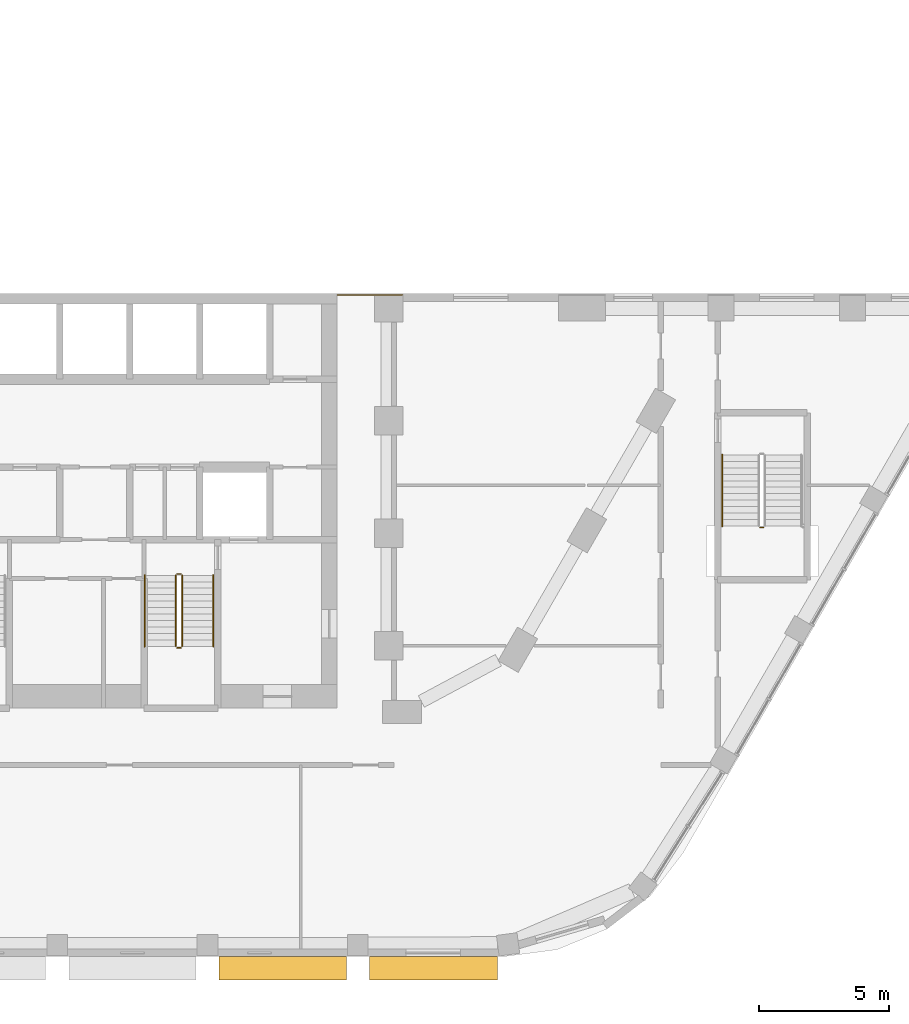
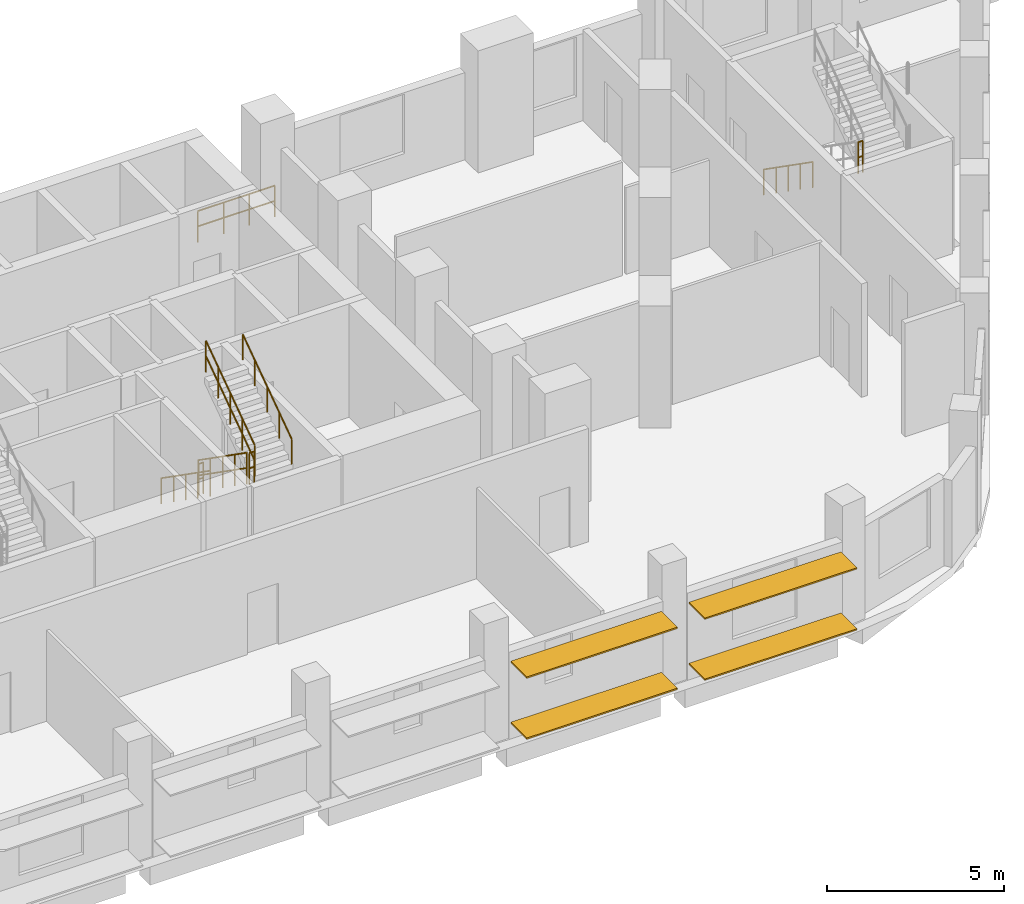
# One storey, part 28 of 33: 9 railings, 4 shading devices.
"""IFC4 building model written with IfcOpenShell, lengths in metres."""

from ifc_helpers import new_model, si_unit, direction, frame, origin, origin_2d, place, context, subcontext, project, spatial, rectangle, circle, extrude, material, material_profile, profile_set, type_object, element, save


model = new_model("IFC4")

# Units and contexts
model_context = context("Model", 3, precision=1e-05, world=origin(), true_north=direction((0.0, 1.0)))
body_context = subcontext(model_context, "Body", "Model", "MODEL_VIEW")
ifc_project = project(units=[si_unit("LENGTHUNIT", "METRE"), si_unit("AREAUNIT", "SQUARE_METRE"), si_unit("VOLUMEUNIT", "CUBIC_METRE"), si_unit("PLANEANGLEUNIT", "RADIAN"), si_unit("MASSUNIT", "GRAM", prefix="KILO")], contexts=[model_context])

# Site, building, storey
site_placement = place(None, origin())
site = spatial("IfcSite", under=ifc_project, at=site_placement, CompositionType="ELEMENT")
building_placement = place(site_placement, origin())
building = spatial("IfcBuilding", under=site, at=building_placement, Name="Nakaniwa Court", CompositionType="ELEMENT")
storey_placement = place(building_placement, frame((0.0, 0.0, 19.800048828125)))
storey = spatial("IfcBuildingStorey", under=building, at=storey_placement, Name="L04", CompositionType="ELEMENT", Elevation=19.800048828125)

# Shading devices
ifc_material_1 = material(Name="Perforated charcoal ceramic louvre blade")
ifc_material_profile = material_profile(ifc_material_1, rectangle(XDim=0.89990234375, YDim=0.050048828125, at=origin_2d()), Name="Perforated ceramic louvre blade")
ifc_profile_set = profile_set([ifc_material_profile], Name="Perforated charcoal ceramic louvre blade")
shading_device_type = type_object("IfcShadingDeviceType", Name="Perforated ceramic louvre blade", PredefinedType="JALOUSIE", material=ifc_profile_set)
for number, where, z_axis, x_axis, name in (
    (1, (83.448486328125, 46.550048828125, 0.550048828125), (1.0, 0.0, 0.0), (0.0, 1.0, 0.0), "L04 perforated ceramic louvre blade w22 1"),
    (2, (83.448486328125, 46.550048828125, 2.64990234375), (1.0, 0.0, 0.0), (0.0, 1.0, 0.0), "L04 perforated ceramic louvre blade w22 2"),
):
    element("IfcShadingDevice", number, at=place(storey_placement, frame(where, z_axis=z_axis, x_axis=x_axis)), inside=storey, type_object=shading_device_type, Name=name, PredefinedType="JALOUSIE", context=body_context, shape_type="SweptSolid", body=[
        extrude(rectangle(XDim=0.89990234375, YDim=0.050048828125, at=origin_2d()), origin(), (0.0, 0.0, 1.0), 4.910400390625),
    ])
for number, where, z_axis, x_axis, name in (
    (3, (89.250732421875, 46.550048828125, 0.550048828125), (1.0, 0.0, 0.0), (0.0, 1.0, 0.0), "L04 perforated ceramic louvre blade w23 1"),
    (4, (89.250732421875, 46.550048828125, 2.64990234375), (1.0, 0.0, 0.0), (0.0, 1.0, 0.0), "L04 perforated ceramic louvre blade w23 2"),
):
    element("IfcShadingDevice", number, at=place(storey_placement, frame(where, z_axis=z_axis, x_axis=x_axis)), inside=storey, type_object=shading_device_type, Name=name, PredefinedType="JALOUSIE", context=body_context, shape_type="SweptSolid", body=[
        extrude(rectangle(XDim=0.89990234375, YDim=0.050048828125, at=origin_2d()), origin(), (0.0, 0.0, 1.0), 4.947998046875),
    ])

# Railings
ifc_material_2 = material(Name="Black powder coated steel guard", Category="steel")
railing_type_1 = type_object("IfcRailingType", Name="Stair guard 1100", PredefinedType="GUARDRAIL", material=ifc_material_2)
railing_1_placement = place(storey_placement, frame((81.77490234375, 61.72509765625, 0.175048828125)))
element("IfcRailing", 5, at=railing_1_placement, inside=storey, type_object=railing_type_1, Name="L04 ST4 stair guard 1", PredefinedType="GUARDRAIL", context=body_context, shape_type="SweptSolid", body=[
    extrude(circle(Radius=0.02392578125, at=origin_2d()), frame((0.0, 0.0, 1.076171875), z_axis=(0.0, -0.819259255306, 0.573423292687), x_axis=(1.0, 0.0, 0.0)), (0.0, 0.0, 1.0), 3.356689453125),
    extrude(circle(Radius=0.02392578125, at=origin_2d()), frame((0.0, 0.0, 0.550048828125), z_axis=(0.0, -0.819259255306, 0.573423292687), x_axis=(1.0, 0.0, 0.0)), (0.0, 0.0, 1.0), 3.356689453125),
    extrude(circle(Radius=0.02099609375, at=origin_2d()), origin(), (0.0, 0.0, 1.0), 1.052001953125),
    extrude(circle(Radius=0.02099609375, at=origin_2d()), frame((0.0, -0.6875, 0.481201171875)), (0.0, 0.0, 1.0), 1.052001953125),
    extrude(circle(Radius=0.02099609375, at=origin_2d()), frame((0.0, -1.375, 0.96240234375)), (0.0, 0.0, 1.0), 1.052001953125),
    extrude(circle(Radius=0.02099609375, at=origin_2d()), frame((0.0, -2.0625, 1.443603515625)), (0.0, 0.0, 1.0), 1.052001953125),
    extrude(circle(Radius=0.02099609375, at=origin_2d()), frame((0.0, -2.75, 1.9248046875)), (0.0, 0.0, 1.0), 1.052001953125),
])
railing_2_placement = place(storey_placement, frame((81.824951171875, 58.925048828125, 2.099853515625)))
element("IfcRailing", 6, at=railing_2_placement, inside=storey, type_object=railing_type_1, Name="L04 ST4 stair guard 2", PredefinedType="GUARDRAIL", context=body_context, shape_type="SweptSolid", body=[
    extrude(circle(Radius=0.02392578125, at=origin_2d()), frame((0.0, 0.0, 1.076171875), z_axis=(1.0, 0.0, 0.0), x_axis=(0.0, 1.0, 0.0)), (0.0, 0.0, 1.0), 0.150146484375),
    extrude(circle(Radius=0.02392578125, at=origin_2d()), frame((0.0, 0.0, 0.550048828125), z_axis=(1.0, 0.0, 0.0), x_axis=(0.0, 1.0, 0.0)), (0.0, 0.0, 1.0), 0.150146484375),
    extrude(circle(Radius=0.02099609375, at=origin_2d()), origin(), (0.0, 0.0, 1.0), 1.052001953125),
    extrude(circle(Radius=0.02099609375, at=origin_2d()), frame((0.150146484375, 0.0, 0.0)), (0.0, 0.0, 1.0), 1.052001953125),
])
railing_3_placement = place(storey_placement, frame((82.02490234375, 58.97509765625, 2.27490234375)))
element("IfcRailing", 7, at=railing_3_placement, inside=storey, type_object=railing_type_1, Name="L04 ST4 stair guard 3", PredefinedType="GUARDRAIL", context=body_context, shape_type="SweptSolid", body=[
    extrude(circle(Radius=0.02392578125, at=origin_2d()), frame((0.0, 0.0, 1.076171875), z_axis=(0.0, 0.819225086817, 0.573472106672), x_axis=(-1.0, 0.0, 0.0)), (0.0, 0.0, 1.0), 3.35693359375),
    extrude(circle(Radius=0.02392578125, at=origin_2d()), frame((0.0, 0.0, 0.550048828125), z_axis=(0.0, 0.819225086817, 0.573472106672), x_axis=(-1.0, 0.0, 0.0)), (0.0, 0.0, 1.0), 3.35693359375),
    extrude(circle(Radius=0.02099609375, at=origin_2d()), origin(), (0.0, 0.0, 1.0), 1.052001953125),
    extrude(circle(Radius=0.02099609375, at=origin_2d()), frame((0.0, 0.6875, 0.481201171875)), (0.0, 0.0, 1.0), 1.052001953125),
    extrude(circle(Radius=0.02099609375, at=origin_2d()), frame((0.0, 1.375, 0.96240234375)), (0.0, 0.0, 1.0), 1.052001953125),
    extrude(circle(Radius=0.02099609375, at=origin_2d()), frame((0.0, 2.0625, 1.44384765625)), (0.0, 0.0, 1.0), 1.052001953125),
    extrude(circle(Radius=0.02099609375, at=origin_2d()), frame((0.0, 2.75, 1.925048828125)), (0.0, 0.0, 1.0), 1.052001953125),
])
for number, where, name in (
    (8, (81.824951171875, 61.77490234375, 0.0), "L04 ST4 stair guard 4"),
    (9, (104.324951171875, 63.574951171875, 2.099853515625), "L04 SS3 stair guard 2"),
):
    element("IfcRailing", number, at=place(storey_placement, frame(where)), inside=storey, type_object=railing_type_1, Name=name, PredefinedType="GUARDRAIL", context=body_context, shape_type="SweptSolid", body=[
        extrude(circle(Radius=0.02392578125, at=origin_2d()), frame((0.0, 0.0, 1.076171875), z_axis=(1.0, 0.0, 0.0), x_axis=(0.0, 1.0, 0.0)), (0.0, 0.0, 1.0), 0.150146484375),
        extrude(circle(Radius=0.02392578125, at=origin_2d()), frame((0.0, 0.0, 0.550048828125), z_axis=(1.0, 0.0, 0.0), x_axis=(0.0, 1.0, 0.0)), (0.0, 0.0, 1.0), 0.150146484375),
        extrude(circle(Radius=0.02099609375, at=origin_2d()), origin(), (0.0, 0.0, 1.0), 1.052001953125),
        extrude(circle(Radius=0.02099609375, at=origin_2d()), frame((0.150146484375, 0.0, 0.0)), (0.0, 0.0, 1.0), 1.052001953125),
    ])
railing_4_placement = place(storey_placement, frame((88.014892578125, 72.550048828125, 0.0)))
element("IfcRailing", 10, at=railing_4_placement, inside=storey, type_object=railing_type_1, Name="GUARD GD-L04-066", PredefinedType="GUARDRAIL", context=body_context, shape_type="SweptSolid", body=[
    extrude(circle(Radius=0.02392578125, at=origin_2d()), frame((0.0, 0.0, 1.076171875), z_axis=(1.0, 0.0, 0.0), x_axis=(0.0, 1.0, 0.0)), (0.0, 0.0, 1.0), 2.507080078125),
    extrude(circle(Radius=0.02392578125, at=origin_2d()), frame((0.0, 0.0, 0.550048828125), z_axis=(1.0, 0.0, 0.0), x_axis=(0.0, 1.0, 0.0)), (0.0, 0.0, 1.0), 2.507080078125),
    extrude(circle(Radius=0.02099609375, at=origin_2d()), origin(), (0.0, 0.0, 1.0), 1.052001953125),
    extrude(circle(Radius=0.02099609375, at=origin_2d()), frame((0.835693359375, 0.0, 0.0)), (0.0, 0.0, 1.0), 1.052001953125),
    extrude(circle(Radius=0.02099609375, at=origin_2d()), frame((1.67138671875, 0.0, 0.0)), (0.0, 0.0, 1.0), 1.052001953125),
    extrude(circle(Radius=0.02099609375, at=origin_2d()), frame((2.507080078125, 0.0, 0.0)), (0.0, 0.0, 1.0), 1.052001953125),
])
ifc_material_3 = material(Name="Black powder coated steel handrail", Category="steel")
railing_type_2 = type_object("IfcRailingType", Name="Stair handrail 900", PredefinedType="HANDRAIL", material=ifc_material_3)
railing_5_placement = place(storey_placement, frame((80.574951171875, 61.72509765625, 0.175048828125)))
element("IfcRailing", 11, at=railing_5_placement, inside=storey, type_object=railing_type_2, Name="L04 ST4 stair handrail 1", PredefinedType="HANDRAIL", context=body_context, shape_type="SweptSolid", body=[
    extrude(circle(Radius=0.02392578125, at=origin_2d()), frame((0.0, 0.0, 0.8759765625), z_axis=(0.0, -0.819259255306, 0.573423292687), x_axis=(1.0, 0.0, 0.0)), (0.0, 0.0, 1.0), 3.356689453125),
    extrude(circle(Radius=0.02099609375, at=origin_2d()), origin(), (0.0, 0.0, 1.0), 0.851806640625),
    extrude(circle(Radius=0.02099609375, at=origin_2d()), frame((0.0, -0.6875, 0.481201171875)), (0.0, 0.0, 1.0), 0.851806640625),
    extrude(circle(Radius=0.02099609375, at=origin_2d()), frame((0.0, -1.375, 0.96240234375)), (0.0, 0.0, 1.0), 0.851806640625),
    extrude(circle(Radius=0.02099609375, at=origin_2d()), frame((0.0, -2.0625, 1.443603515625)), (0.0, 0.0, 1.0), 0.851806640625),
    extrude(circle(Radius=0.02099609375, at=origin_2d()), frame((0.0, -2.75, 1.9248046875)), (0.0, 0.0, 1.0), 0.851806640625),
])
railing_6_placement = place(storey_placement, frame((83.22509765625, 58.97509765625, 2.27490234375)))
element("IfcRailing", 12, at=railing_6_placement, inside=storey, type_object=railing_type_2, Name="L04 ST4 stair handrail 2", PredefinedType="HANDRAIL", context=body_context, shape_type="SweptSolid", body=[
    extrude(circle(Radius=0.02392578125, at=origin_2d()), frame((0.0, 0.0, 0.8759765625), z_axis=(0.0, 0.819225086817, 0.573472106672), x_axis=(-1.0, 0.0, 0.0)), (0.0, 0.0, 1.0), 3.35693359375),
    extrude(circle(Radius=0.02099609375, at=origin_2d()), origin(), (0.0, 0.0, 1.0), 0.851806640625),
    extrude(circle(Radius=0.02099609375, at=origin_2d()), frame((0.0, 0.6875, 0.481201171875)), (0.0, 0.0, 1.0), 0.851806640625),
    extrude(circle(Radius=0.02099609375, at=origin_2d()), frame((0.0, 1.375, 0.96240234375)), (0.0, 0.0, 1.0), 0.851806640625),
    extrude(circle(Radius=0.02099609375, at=origin_2d()), frame((0.0, 2.0625, 1.44384765625)), (0.0, 0.0, 1.0), 0.851806640625),
    extrude(circle(Radius=0.02099609375, at=origin_2d()), frame((0.0, 2.75, 1.925048828125)), (0.0, 0.0, 1.0), 0.851806640625),
])
railing_7_placement = place(storey_placement, frame((102.875, 66.375, 0.175048828125)))
element("IfcRailing", 13, at=railing_7_placement, inside=storey, type_object=railing_type_2, Name="L04 SS3 stair handrail 1", PredefinedType="HANDRAIL", context=body_context, shape_type="SweptSolid", body=[
    extrude(circle(Radius=0.02392578125, at=origin_2d()), frame((0.0, 0.0, 0.8759765625), z_axis=(0.0, -0.819259255306, 0.573423292687), x_axis=(1.0, 0.0, 0.0)), (0.0, 0.0, 1.0), 3.356689453125),
    extrude(circle(Radius=0.02099609375, at=origin_2d()), origin(), (0.0, 0.0, 1.0), 0.851806640625),
    extrude(circle(Radius=0.02099609375, at=origin_2d()), frame((0.0, -0.6875, 0.481201171875)), (0.0, 0.0, 1.0), 0.851806640625),
    extrude(circle(Radius=0.02099609375, at=origin_2d()), frame((0.0, -1.375, 0.96240234375)), (0.0, 0.0, 1.0), 0.851806640625),
    extrude(circle(Radius=0.02099609375, at=origin_2d()), frame((0.0, -2.0625, 1.443603515625)), (0.0, 0.0, 1.0), 0.851806640625),
    extrude(circle(Radius=0.02099609375, at=origin_2d()), frame((0.0, -2.75, 1.9248046875)), (0.0, 0.0, 1.0), 0.851806640625),
])

save(model, "model.ifc")
